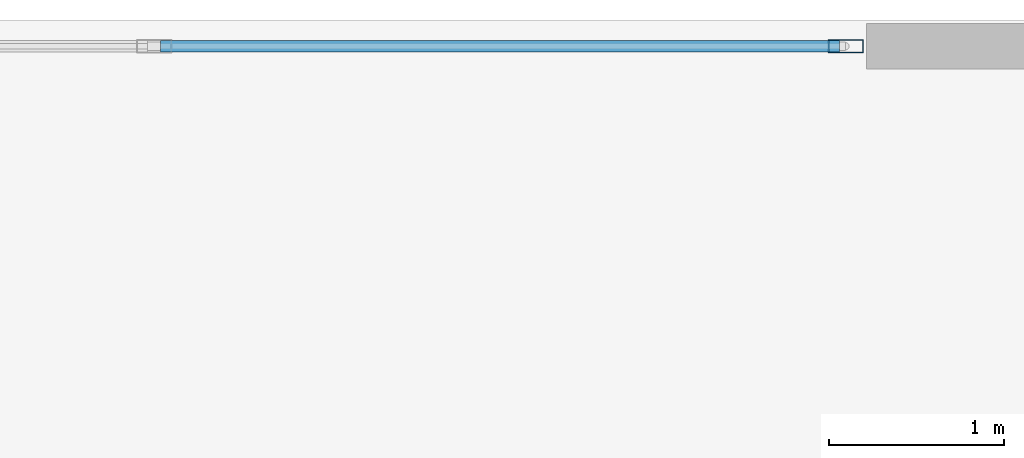
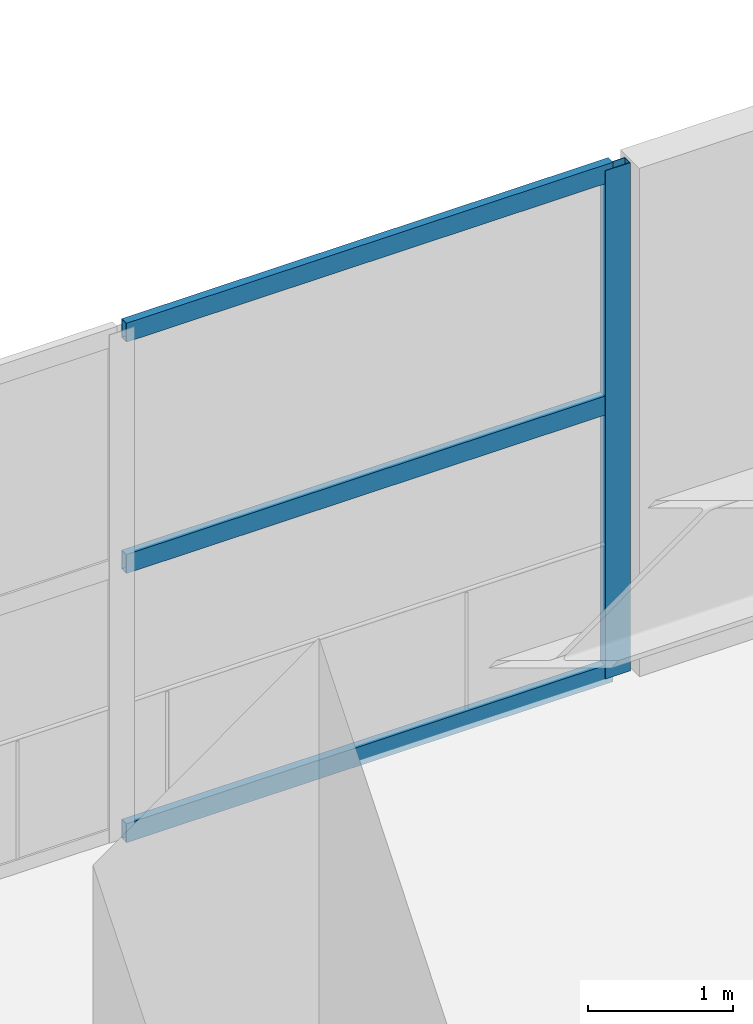
# One storey, part 13 of 25: 4 members, 1 element without a shape of its own.
"""IFC4 building model written with IfcOpenShell, lengths in metres."""

from ifc_helpers import new_model, si_unit, direction, frame, origin, origin_2d, place, context, subcontext, project, spatial, hollow_rectangle, extrude, material, layer, layer_set, material_profile, profile_set, type_object, element, aggregate, save


model = new_model("IFC4")

# Units and contexts
model_context = context("Model", 3, precision=1e-05, world=origin(), true_north=direction((0.0, 1.0)))
body_context = subcontext(model_context, "Body", "Model", "MODEL_VIEW")
ifc_project = project(units=[si_unit("LENGTHUNIT", "METRE"), si_unit("AREAUNIT", "SQUARE_METRE"), si_unit("VOLUMEUNIT", "CUBIC_METRE"), si_unit("PLANEANGLEUNIT", "RADIAN"), si_unit("MASSUNIT", "GRAM", prefix="KILO")], contexts=[model_context])

# Site, building, storey
site_placement = place(None, origin())
site = spatial("IfcSite", under=ifc_project, at=site_placement, CompositionType="ELEMENT")
building_placement = place(site_placement, origin())
building = spatial("IfcBuilding", under=site, at=building_placement, Name="Solvane Sanctuary Tower", CompositionType="ELEMENT")
storey_placement = place(building_placement, frame((0.0, 0.0, 4.60009765625)))
storey = spatial("IfcBuildingStorey", under=building, at=storey_placement, Name="L02", CompositionType="ELEMENT", Elevation=4.60009765625)

# Curtain wall, members
ifc_material = material(Name="Anodised Aluminium 6063-T6", Category="aluminium")
ifc_layer = layer(ifc_material, 0.159912109375, Name="Anodised Aluminium 6063-T6")
ifc_layer_set = layer_set([ifc_layer], Name="Anodised Aluminium 6063-T6")
curtain_wall_type = type_object("IfcCurtainWallType", Name="Curtain Wall CW-POD", PredefinedType="NOTDEFINED", material=ifc_layer_set)
curtain_wall_placement = place(storey_placement, origin())
curtain_wall = element("IfcCurtainWall", 1, at=curtain_wall_placement, inside=storey, type_object=curtain_wall_type, Name="L02 Sanctuary Curtain Wall N2", PredefinedType="NOTDEFINED")
ifc_material_profile_1 = material_profile(ifc_material, hollow_rectangle(XDim=0.074951171875, YDim=0.199951171875, WallThickness=0.00390625, at=origin_2d()), Name="ALU200X75X4")
ifc_profile_set_1 = profile_set([ifc_material_profile_1], Name="Anodised Aluminium 6063-T6")
member_type_1 = type_object("IfcMemberType", Name="Member M-CW-MUL-1 ALU200X75X4", PredefinedType="MULLION", material=ifc_profile_set_1)
member_1_placement = place(storey_placement, frame((43.96240234375, 45.85009765625, 0.0), z_axis=(0.0, 0.0, 1.0), x_axis=(0.0, -1.0, 0.0)))
member_1 = element("IfcMember", 2, at=member_1_placement, type_object=member_type_1, Name="CW-POD mullion 1", PredefinedType="MULLION", context=body_context, shape_type="SweptSolid", body=[
    extrude(hollow_rectangle(XDim=0.074951171875, YDim=0.199951171875, WallThickness=0.00390625, at=origin_2d()), origin(), (0.0, 0.0, 1.0), 4.27978515625),
])
ifc_material_profile_2 = material_profile(ifc_material, hollow_rectangle(XDim=0.06494140625, YDim=0.159912109375, WallThickness=0.00341796875, at=origin_2d()), Name="ALU160X65X3.5")
ifc_profile_set_2 = profile_set([ifc_material_profile_2], Name="Anodised Aluminium 6063-T6")
member_type_2 = type_object("IfcMemberType", Name="Member M-CW-TRN-1 ALU160X65X3.5", PredefinedType="USERDEFINED", material=ifc_profile_set_2)
member_2_placement = place(storey_placement, frame((43.925048828125, 45.85009765625, 0.032470703125), z_axis=(-1.0, 0.0, 0.0), x_axis=(0.0, -1.0, 0.0)))
member_2 = element("IfcMember", 3, at=member_2_placement, type_object=member_type_2, Name="CW-POD transom 1.1", ObjectType="TRANSOM", PredefinedType="USERDEFINED", context=body_context, shape_type="SweptSolid", body=[
    extrude(hollow_rectangle(XDim=0.06494140625, YDim=0.159912109375, WallThickness=0.00341796875, at=origin_2d()), origin(), (0.0, 0.0, 1.0), 3.874267578125),
])
member_3_placement = place(storey_placement, frame((43.925048828125, 45.85009765625, 2.2998046875), z_axis=(-1.0, 0.0, 0.0), x_axis=(0.0, -1.0, 0.0)))
member_3 = element("IfcMember", 4, at=member_3_placement, type_object=member_type_2, Name="CW-POD transom 1.2", ObjectType="TRANSOM", PredefinedType="USERDEFINED", context=body_context, shape_type="SweptSolid", body=[
    extrude(hollow_rectangle(XDim=0.06494140625, YDim=0.159912109375, WallThickness=0.00341796875, at=origin_2d()), origin(), (0.0, 0.0, 1.0), 3.874267578125),
])
member_4_placement = place(storey_placement, frame((43.925048828125, 45.85009765625, 4.247314453125), z_axis=(-1.0, 0.0, 0.0), x_axis=(0.0, -1.0, 0.0)))
member_4 = element("IfcMember", 5, at=member_4_placement, type_object=member_type_2, Name="CW-POD transom 1.3", ObjectType="TRANSOM", PredefinedType="USERDEFINED", context=body_context, shape_type="SweptSolid", body=[
    extrude(hollow_rectangle(XDim=0.06494140625, YDim=0.159912109375, WallThickness=0.00341796875, at=origin_2d()), origin(), (0.0, 0.0, 1.0), 3.874267578125),
])
aggregate(curtain_wall, [member_1, member_2, member_3, member_4])

save(model, "model.ifc")
